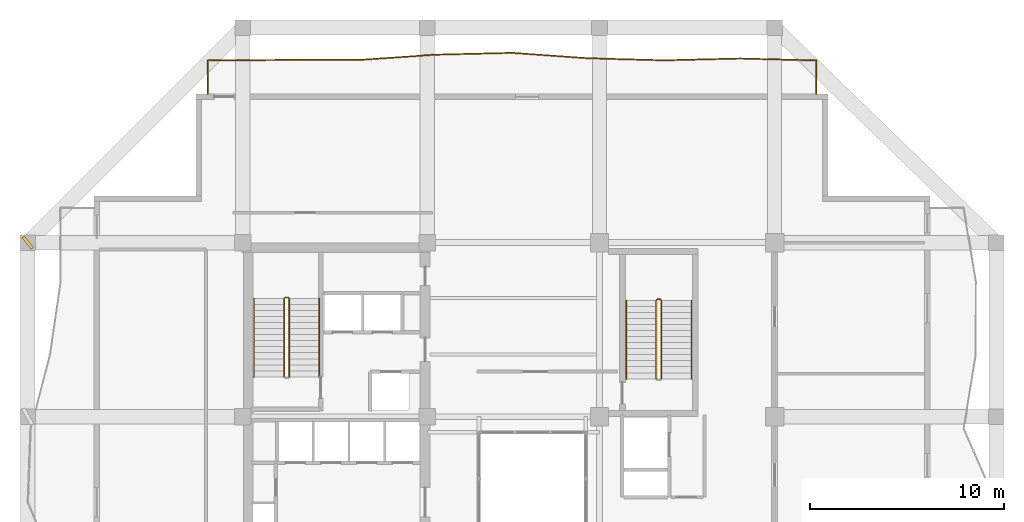
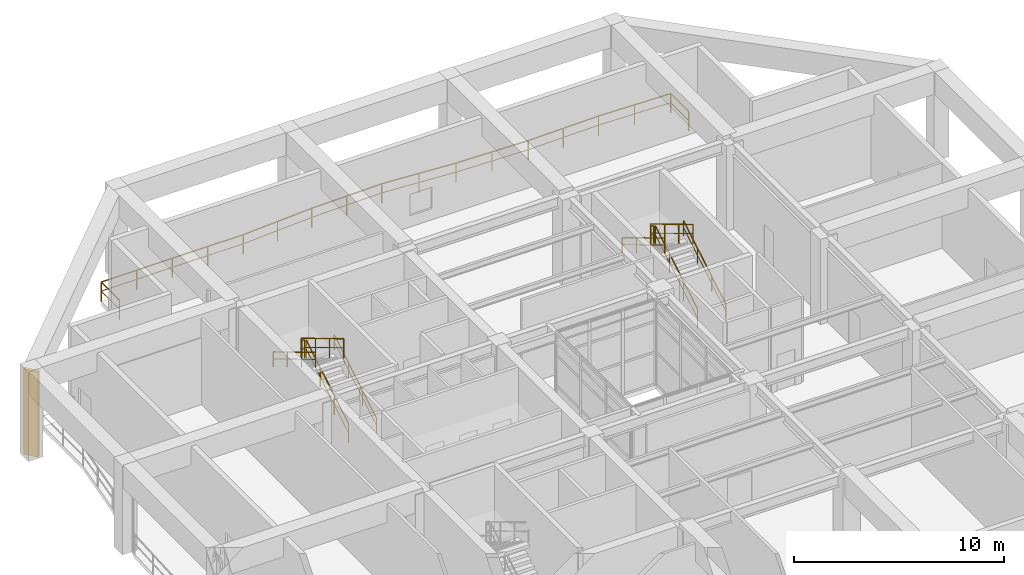
# One storey, part 12 of 13: 11 railings, 1 shading device.
"""IFC4 building model written with IfcOpenShell, lengths in metres."""

from ifc_helpers import new_model, si_unit, direction, frame, origin, origin_2d, place, context, subcontext, project, spatial, rectangle, extrude, material, type_object, element, save


model = new_model("IFC4")

# Units and contexts
model_context = context("Model", 3, precision=1e-05, world=origin(), true_north=direction((0.0, 1.0)))
body_context = subcontext(model_context, "Body", "Model", "MODEL_VIEW")
ifc_project = project(units=[si_unit("LENGTHUNIT", "METRE"), si_unit("AREAUNIT", "SQUARE_METRE"), si_unit("VOLUMEUNIT", "CUBIC_METRE"), si_unit("PLANEANGLEUNIT", "RADIAN"), si_unit("MASSUNIT", "GRAM", prefix="KILO")], contexts=[model_context])

# Site, building, storey
site_placement = place(None, origin())
site = spatial("IfcSite", under=ifc_project, at=site_placement, CompositionType="ELEMENT")
building_placement = place(site_placement, origin())
building = spatial("IfcBuilding", under=site, at=building_placement, Name="Kundavana Baori Tower", CompositionType="ELEMENT")
storey_placement = place(building_placement, frame((0.0, 0.0, 208.89990234375)))
storey = spatial("IfcBuildingStorey", under=building, at=storey_placement, Name="L51", CompositionType="ELEMENT", Elevation=208.89990234375)

# Railings
ifc_material_1 = material(Name="Architectural Patinated Bronze Metalwork")
railing_type_1 = type_object("IfcRailingType", Name="RL-BAL-1150", PredefinedType="BALUSTRADE", material=ifc_material_1)
railing_1_placement = place(storey_placement, frame((13.64990234375, 49.60009765625, 0.0)))
element("IfcRailing", 1, at=railing_1_placement, inside=storey, type_object=railing_type_1, Name="L51 Loggia Balcony Balustrade N", PredefinedType="BALUSTRADE", context=body_context, shape_type="SweptSolid", body=[
    extrude(rectangle(XDim=0.048095703125, YDim=0.048095703125, at=origin_2d()), frame((0.0, 0.0, 1.1259765625), z_axis=(0.0, 1.0, 0.0), x_axis=(-1.0, 0.0, 0.0)), (0.0, 0.0, 1.0), 1.719970703125),
    extrude(rectangle(XDim=0.03125, YDim=0.03125, at=origin_2d()), frame((0.0, 0.0, 0.597900390625), z_axis=(0.0, 1.0, 0.0), x_axis=(-1.0, 0.0, 0.0)), (0.0, 0.0, 1.0), 1.719970703125),
    extrude(rectangle(XDim=0.048095703125, YDim=0.048095703125, at=origin_2d()), frame((0.0, 1.719970703125, 1.1259765625), z_axis=(0.999974694126, 0.007114148473, 0.0), x_axis=(-0.007114148473, 0.999974694126, 0.0)), (0.0, 0.0, 1.0), 3.912109375),
    extrude(rectangle(XDim=0.03125, YDim=0.03125, at=origin_2d()), frame((0.0, 1.719970703125, 0.597900390625), z_axis=(0.999974694126, 0.007114148473, 0.0), x_axis=(-0.007114148473, 0.999974694126, 0.0)), (0.0, 0.0, 1.0), 3.912109375),
    extrude(rectangle(XDim=0.048095703125, YDim=0.048095703125, at=origin_2d()), frame((3.912109375, 1.747802734375, 1.1259765625), z_axis=(0.999999842349, 0.000561517256, 0.0), x_axis=(-0.000561517256, 0.999999842349, 0.0)), (0.0, 0.0, 1.0), 3.9130859375),
    extrude(rectangle(XDim=0.03125, YDim=0.03125, at=origin_2d()), frame((3.912109375, 1.747802734375, 0.597900390625), z_axis=(0.999999842349, 0.000561517256, 0.0), x_axis=(-0.000561517256, 0.999999842349, 0.0)), (0.0, 0.0, 1.0), 3.9130859375),
    extrude(rectangle(XDim=0.048095703125, YDim=0.048095703125, at=origin_2d()), frame((7.8251953125, 1.75, 1.1259765625), z_axis=(0.997648709251, 0.06853504891, 0.0), x_axis=(-0.06853504891, 0.997648709251, 0.0)), (0.0, 0.0, 1.0), 3.922119140625),
    extrude(rectangle(XDim=0.03125, YDim=0.03125, at=origin_2d()), frame((7.8251953125, 1.75, 0.597900390625), z_axis=(0.997648709251, 0.06853504891, 0.0), x_axis=(-0.06853504891, 0.997648709251, 0.0)), (0.0, 0.0, 1.0), 3.922119140625),
    extrude(rectangle(XDim=0.048095703125, YDim=0.048095703125, at=origin_2d()), frame((11.738037109375, 2.018798828125, 1.1259765625), z_axis=(0.999703950417, 0.024331286861, 0.0), x_axis=(-0.024331286861, 0.999703950417, 0.0)), (0.0, 0.0, 1.0), 3.913330078125),
    extrude(rectangle(XDim=0.03125, YDim=0.03125, at=origin_2d()), frame((11.738037109375, 2.018798828125, 0.597900390625), z_axis=(0.999703950417, 0.024331286861, 0.0), x_axis=(-0.024331286861, 0.999703950417, 0.0)), (0.0, 0.0, 1.0), 3.913330078125),
    extrude(rectangle(XDim=0.048095703125, YDim=0.048095703125, at=origin_2d()), frame((15.650146484375, 2.114013671875, 1.1259765625), z_axis=(0.997448896999, -0.071384157039, 0.0), x_axis=(0.071384157039, 0.997448896999, 0.0)), (0.0, 0.0, 1.0), 3.9228515625),
    extrude(rectangle(XDim=0.03125, YDim=0.03125, at=origin_2d()), frame((15.650146484375, 2.114013671875, 0.597900390625), z_axis=(0.997448896999, -0.071384157039, 0.0), x_axis=(0.071384157039, 0.997448896999, 0.0)), (0.0, 0.0, 1.0), 3.9228515625),
    extrude(rectangle(XDim=0.048095703125, YDim=0.048095703125, at=origin_2d()), frame((19.56298828125, 1.833984375, 1.1259765625), z_axis=(0.999640142493, -0.026825091193, 0.0), x_axis=(0.026825091193, 0.999640142493, 0.0)), (0.0, 0.0, 1.0), 3.91357421875),
    extrude(rectangle(XDim=0.03125, YDim=0.03125, at=origin_2d()), frame((19.56298828125, 1.833984375, 0.597900390625), z_axis=(0.999640142493, -0.026825091193, 0.0), x_axis=(0.026825091193, 0.999640142493, 0.0)), (0.0, 0.0, 1.0), 3.91357421875),
    extrude(rectangle(XDim=0.048095703125, YDim=0.048095703125, at=origin_2d()), frame((23.47509765625, 1.72900390625, 1.1259765625), z_axis=(0.999711633431, 0.024013537489, 0.0), x_axis=(-0.024013537489, 0.999711633431, 0.0)), (0.0, 0.0, 1.0), 3.914306640625),
    extrude(rectangle(XDim=0.03125, YDim=0.03125, at=origin_2d()), frame((23.47509765625, 1.72900390625, 0.597900390625), z_axis=(0.999711633431, 0.024013537489, 0.0), x_axis=(-0.024013537489, 0.999711633431, 0.0)), (0.0, 0.0, 1.0), 3.914306640625),
    extrude(rectangle(XDim=0.048095703125, YDim=0.048095703125, at=origin_2d()), frame((27.38818359375, 1.822998046875, 1.1259765625), z_axis=(0.999653357843, -0.026328010798, 0.0), x_axis=(0.026328010798, 0.999653357843, 0.0)), (0.0, 0.0, 1.0), 3.913330078125),
    extrude(rectangle(XDim=0.03125, YDim=0.03125, at=origin_2d()), frame((27.38818359375, 1.822998046875, 0.597900390625), z_axis=(0.999653357843, -0.026328010798, 0.0), x_axis=(0.026328010798, 0.999653357843, 0.0)), (0.0, 0.0, 1.0), 3.913330078125),
    extrude(rectangle(XDim=0.048095703125, YDim=0.048095703125, at=origin_2d()), frame((31.300048828125, 1.719970703125, 1.1259765625), z_axis=(0.0, -1.0, 0.0), x_axis=(1.0, 0.0, 0.0)), (0.0, 0.0, 1.0), 1.719970703125),
    extrude(rectangle(XDim=0.03125, YDim=0.03125, at=origin_2d()), frame((31.300048828125, 1.719970703125, 0.597900390625), z_axis=(0.0, -1.0, 0.0), x_axis=(1.0, 0.0, 0.0)), (0.0, 0.0, 1.0), 1.719970703125),
    extrude(rectangle(XDim=0.0419921875, YDim=0.0419921875, at=origin_2d()), origin(), (0.0, 0.0, 1.0), 1.101806640625),
    extrude(rectangle(XDim=0.0419921875, YDim=0.0419921875, at=origin_2d()), frame((0.0, 1.719970703125, 0.0)), (0.0, 0.0, 1.0), 1.101806640625),
    extrude(rectangle(XDim=0.0419921875, YDim=0.0419921875, at=origin_2d()), frame((1.9560546875, 1.73388671875, 0.0)), (0.0, 0.0, 1.0), 1.101806640625),
    extrude(rectangle(XDim=0.0419921875, YDim=0.0419921875, at=origin_2d()), frame((3.912109375, 1.747802734375, 0.0)), (0.0, 0.0, 1.0), 1.101806640625),
    extrude(rectangle(XDim=0.0419921875, YDim=0.0419921875, at=origin_2d()), frame((5.86865234375, 1.7490234375, 0.0)), (0.0, 0.0, 1.0), 1.101806640625),
    extrude(rectangle(XDim=0.0419921875, YDim=0.0419921875, at=origin_2d()), frame((7.8251953125, 1.75, 0.0)), (0.0, 0.0, 1.0), 1.101806640625),
    extrude(rectangle(XDim=0.0419921875, YDim=0.0419921875, at=origin_2d()), frame((9.78173828125, 1.88427734375, 0.0)), (0.0, 0.0, 1.0), 1.101806640625),
    extrude(rectangle(XDim=0.0419921875, YDim=0.0419921875, at=origin_2d()), frame((11.738037109375, 2.018798828125, 0.0)), (0.0, 0.0, 1.0), 1.101806640625),
    extrude(rectangle(XDim=0.0419921875, YDim=0.0419921875, at=origin_2d()), frame((13.694091796875, 2.06640625, 0.0)), (0.0, 0.0, 1.0), 1.101806640625),
    extrude(rectangle(XDim=0.0419921875, YDim=0.0419921875, at=origin_2d()), frame((15.650146484375, 2.114013671875, 0.0)), (0.0, 0.0, 1.0), 1.101806640625),
    extrude(rectangle(XDim=0.0419921875, YDim=0.0419921875, at=origin_2d()), frame((17.6064453125, 1.97412109375, 0.0)), (0.0, 0.0, 1.0), 1.101806640625),
    extrude(rectangle(XDim=0.0419921875, YDim=0.0419921875, at=origin_2d()), frame((19.56298828125, 1.833984375, 0.0)), (0.0, 0.0, 1.0), 1.101806640625),
    extrude(rectangle(XDim=0.0419921875, YDim=0.0419921875, at=origin_2d()), frame((21.51904296875, 1.781494140625, 0.0)), (0.0, 0.0, 1.0), 1.101806640625),
    extrude(rectangle(XDim=0.0419921875, YDim=0.0419921875, at=origin_2d()), frame((23.47509765625, 1.72900390625, 0.0)), (0.0, 0.0, 1.0), 1.101806640625),
    extrude(rectangle(XDim=0.0419921875, YDim=0.0419921875, at=origin_2d()), frame((25.431640625, 1.77587890625, 0.0)), (0.0, 0.0, 1.0), 1.101806640625),
    extrude(rectangle(XDim=0.0419921875, YDim=0.0419921875, at=origin_2d()), frame((27.38818359375, 1.822998046875, 0.0)), (0.0, 0.0, 1.0), 1.101806640625),
    extrude(rectangle(XDim=0.0419921875, YDim=0.0419921875, at=origin_2d()), frame((29.34423828125, 1.771484375, 0.0)), (0.0, 0.0, 1.0), 1.101806640625),
    extrude(rectangle(XDim=0.0419921875, YDim=0.0419921875, at=origin_2d()), frame((31.300048828125, 1.719970703125, 0.0)), (0.0, 0.0, 1.0), 1.101806640625),
    extrude(rectangle(XDim=0.0419921875, YDim=0.0419921875, at=origin_2d()), frame((31.300048828125, 0.0, 0.0)), (0.0, 0.0, 1.0), 1.101806640625),
])
ifc_material_2 = material(Name="Architectural Patinated Bronze Metalwork")
railing_type_2 = type_object("IfcRailingType", Name="RL-GRD-1150", PredefinedType="GUARDRAIL", material=ifc_material_2)
railing_2_placement = place(storey_placement, frame((17.840087890625, 35.050048828125, 0.185791015625)))
element("IfcRailing", 2, at=railing_2_placement, inside=storey, type_object=railing_type_2, Name="L51 ST2 stair guard 1", PredefinedType="GUARDRAIL", context=body_context, shape_type="SweptSolid", body=[
    extrude(rectangle(XDim=0.048095703125, YDim=0.048095703125, at=origin_2d()), frame((0.0, 0.0, 1.1259765625), z_axis=(0.0, 0.857841222509, 0.51391481489), x_axis=(-1.0, 0.0, 0.0)), (0.0, 0.0, 1.0), 4.69775390625),
    extrude(rectangle(XDim=0.03125, YDim=0.03125, at=origin_2d()), frame((0.0, 0.0, 0.597900390625), z_axis=(0.0, 0.857841222509, 0.51391481489), x_axis=(-1.0, 0.0, 0.0)), (0.0, 0.0, 1.0), 4.69775390625),
    extrude(rectangle(XDim=0.0419921875, YDim=0.0419921875, at=origin_2d()), origin(), (0.0, 0.0, 1.0), 1.101806640625),
    extrude(rectangle(XDim=0.0419921875, YDim=0.0419921875, at=origin_2d()), frame((0.0, 1.34326171875, 0.8046875)), (0.0, 0.0, 1.0), 1.101806640625),
    extrude(rectangle(XDim=0.0419921875, YDim=0.0419921875, at=origin_2d()), frame((0.0, 2.686767578125, 1.609619140625)), (0.0, 0.0, 1.0), 1.101806640625),
    extrude(rectangle(XDim=0.0419921875, YDim=0.0419921875, at=origin_2d()), frame((0.0, 4.030029296875, 2.414306640625)), (0.0, 0.0, 1.0), 1.101806640625),
])
railing_3_placement = place(storey_placement, frame((17.7900390625, 39.1298828125, 2.60009765625)))
element("IfcRailing", 3, at=railing_3_placement, inside=storey, type_object=railing_type_2, Name="L51 ST2 stair guard 2", PredefinedType="GUARDRAIL", context=body_context, shape_type="SweptSolid", body=[
    extrude(rectangle(XDim=0.048095703125, YDim=0.048095703125, at=origin_2d()), frame((0.0, 0.0, 1.1259765625), z_axis=(-1.0, 0.0, 0.0), x_axis=(0.0, -1.0, 0.0)), (0.0, 0.0, 1.0), 0.16015625),
    extrude(rectangle(XDim=0.03125, YDim=0.03125, at=origin_2d()), frame((0.0, 0.0, 0.597900390625), z_axis=(-1.0, 0.0, 0.0), x_axis=(0.0, -1.0, 0.0)), (0.0, 0.0, 1.0), 0.16015625),
    extrude(rectangle(XDim=0.0419921875, YDim=0.0419921875, at=origin_2d()), origin(), (0.0, 0.0, 1.0), 1.101806640625),
    extrude(rectangle(XDim=0.0419921875, YDim=0.0419921875, at=origin_2d()), frame((-0.16015625, 0.0, 0.0)), (0.0, 0.0, 1.0), 1.101806640625),
])
railing_4_placement = place(storey_placement, frame((17.580078125, 39.080078125, 2.785888671875)))
element("IfcRailing", 4, at=railing_4_placement, inside=storey, type_object=railing_type_2, Name="L51 ST2 stair guard 3", PredefinedType="GUARDRAIL", context=body_context, shape_type="SweptSolid", body=[
    extrude(rectangle(XDim=0.048095703125, YDim=0.048095703125, at=origin_2d()), frame((0.0, 0.0, 1.1259765625), z_axis=(0.0, -0.857841222509, 0.51391481489), x_axis=(1.0, 0.0, 0.0)), (0.0, 0.0, 1.0), 4.69775390625),
    extrude(rectangle(XDim=0.03125, YDim=0.03125, at=origin_2d()), frame((0.0, 0.0, 0.597900390625), z_axis=(0.0, -0.857841222509, 0.51391481489), x_axis=(1.0, 0.0, 0.0)), (0.0, 0.0, 1.0), 4.69775390625),
    extrude(rectangle(XDim=0.0419921875, YDim=0.0419921875, at=origin_2d()), origin(), (0.0, 0.0, 1.0), 1.101806640625),
    extrude(rectangle(XDim=0.0419921875, YDim=0.0419921875, at=origin_2d()), frame((0.0, -1.34326171875, 0.8046875)), (0.0, 0.0, 1.0), 1.101806640625),
    extrude(rectangle(XDim=0.0419921875, YDim=0.0419921875, at=origin_2d()), frame((0.0, -2.686767578125, 1.609619140625)), (0.0, 0.0, 1.0), 1.101806640625),
    extrude(rectangle(XDim=0.0419921875, YDim=0.0419921875, at=origin_2d()), frame((0.0, -4.030029296875, 2.414306640625)), (0.0, 0.0, 1.0), 1.101806640625),
])
railing_5_placement = place(storey_placement, frame((36.97998046875, 34.949951171875, 0.185791015625)))
element("IfcRailing", 5, at=railing_5_placement, inside=storey, type_object=railing_type_2, Name="L51 ST3 stair guard 1", PredefinedType="GUARDRAIL", context=body_context, shape_type="SweptSolid", body=[
    extrude(rectangle(XDim=0.048095703125, YDim=0.048095703125, at=origin_2d()), frame((0.0, 0.0, 1.1259765625), z_axis=(0.0, 0.857841222509, 0.51391481489), x_axis=(-1.0, 0.0, 0.0)), (0.0, 0.0, 1.0), 4.69775390625),
    extrude(rectangle(XDim=0.03125, YDim=0.03125, at=origin_2d()), frame((0.0, 0.0, 0.597900390625), z_axis=(0.0, 0.857841222509, 0.51391481489), x_axis=(-1.0, 0.0, 0.0)), (0.0, 0.0, 1.0), 4.69775390625),
    extrude(rectangle(XDim=0.0419921875, YDim=0.0419921875, at=origin_2d()), origin(), (0.0, 0.0, 1.0), 1.101806640625),
    extrude(rectangle(XDim=0.0419921875, YDim=0.0419921875, at=origin_2d()), frame((0.0, 1.34326171875, 0.8046875)), (0.0, 0.0, 1.0), 1.101806640625),
    extrude(rectangle(XDim=0.0419921875, YDim=0.0419921875, at=origin_2d()), frame((0.0, 2.686767578125, 1.609619140625)), (0.0, 0.0, 1.0), 1.101806640625),
    extrude(rectangle(XDim=0.0419921875, YDim=0.0419921875, at=origin_2d()), frame((0.0, 4.030029296875, 2.414306640625)), (0.0, 0.0, 1.0), 1.101806640625),
])
railing_6_placement = place(storey_placement, frame((36.929931640625, 39.030029296875, 2.60009765625)))
element("IfcRailing", 6, at=railing_6_placement, inside=storey, type_object=railing_type_2, Name="L51 ST3 stair guard 2", PredefinedType="GUARDRAIL", context=body_context, shape_type="SweptSolid", body=[
    extrude(rectangle(XDim=0.048095703125, YDim=0.048095703125, at=origin_2d()), frame((0.0, 0.0, 1.1259765625), z_axis=(-1.0, 0.0, 0.0), x_axis=(0.0, -1.0, 0.0)), (0.0, 0.0, 1.0), 0.159912109375),
    extrude(rectangle(XDim=0.03125, YDim=0.03125, at=origin_2d()), frame((0.0, 0.0, 0.597900390625), z_axis=(-1.0, 0.0, 0.0), x_axis=(0.0, -1.0, 0.0)), (0.0, 0.0, 1.0), 0.159912109375),
    extrude(rectangle(XDim=0.0419921875, YDim=0.0419921875, at=origin_2d()), origin(), (0.0, 0.0, 1.0), 1.101806640625),
    extrude(rectangle(XDim=0.0419921875, YDim=0.0419921875, at=origin_2d()), frame((-0.159912109375, 0.0, 0.0)), (0.0, 0.0, 1.0), 1.101806640625),
])
railing_7_placement = place(storey_placement, frame((36.719970703125, 38.97998046875, 2.785888671875)))
element("IfcRailing", 7, at=railing_7_placement, inside=storey, type_object=railing_type_2, Name="L51 ST3 stair guard 3", PredefinedType="GUARDRAIL", context=body_context, shape_type="SweptSolid", body=[
    extrude(rectangle(XDim=0.048095703125, YDim=0.048095703125, at=origin_2d()), frame((0.0, 0.0, 1.1259765625), z_axis=(0.0, -0.857841222509, 0.51391481489), x_axis=(1.0, 0.0, 0.0)), (0.0, 0.0, 1.0), 4.69775390625),
    extrude(rectangle(XDim=0.03125, YDim=0.03125, at=origin_2d()), frame((0.0, 0.0, 0.597900390625), z_axis=(0.0, -0.857841222509, 0.51391481489), x_axis=(1.0, 0.0, 0.0)), (0.0, 0.0, 1.0), 4.69775390625),
    extrude(rectangle(XDim=0.0419921875, YDim=0.0419921875, at=origin_2d()), origin(), (0.0, 0.0, 1.0), 1.101806640625),
    extrude(rectangle(XDim=0.0419921875, YDim=0.0419921875, at=origin_2d()), frame((0.0, -1.34326171875, 0.8046875)), (0.0, 0.0, 1.0), 1.101806640625),
    extrude(rectangle(XDim=0.0419921875, YDim=0.0419921875, at=origin_2d()), frame((0.0, -2.686767578125, 1.609619140625)), (0.0, 0.0, 1.0), 1.101806640625),
    extrude(rectangle(XDim=0.0419921875, YDim=0.0419921875, at=origin_2d()), frame((0.0, -4.030029296875, 2.414306640625)), (0.0, 0.0, 1.0), 1.101806640625),
])
ifc_material_3 = material(Name="Architectural Patinated Bronze Metalwork")
railing_type_3 = type_object("IfcRailingType", Name="RL-HND-920", PredefinedType="HANDRAIL", material=ifc_material_3)
railing_8_placement = place(storey_placement, frame((19.389892578125, 35.050048828125, 0.185791015625)))
element("IfcRailing", 8, at=railing_8_placement, inside=storey, type_object=railing_type_3, Name="L51 ST2 stair handrail 1", PredefinedType="HANDRAIL", context=body_context, shape_type="SweptSolid", body=[
    extrude(rectangle(XDim=0.048095703125, YDim=0.048095703125, at=origin_2d()), frame((0.0, 0.0, 0.8759765625), z_axis=(0.0, 0.857841222509, 0.51391481489), x_axis=(-1.0, 0.0, 0.0)), (0.0, 0.0, 1.0), 4.69775390625),
    extrude(rectangle(XDim=0.03125, YDim=0.03125, at=origin_2d()), frame((0.0, 0.0, 0.468017578125), z_axis=(0.0, 0.857841222509, 0.51391481489), x_axis=(-1.0, 0.0, 0.0)), (0.0, 0.0, 1.0), 4.69775390625),
    extrude(rectangle(XDim=0.0419921875, YDim=0.0419921875, at=origin_2d()), origin(), (0.0, 0.0, 1.0), 0.851806640625),
    extrude(rectangle(XDim=0.0419921875, YDim=0.0419921875, at=origin_2d()), frame((0.0, 1.34326171875, 0.8046875)), (0.0, 0.0, 1.0), 0.851806640625),
    extrude(rectangle(XDim=0.0419921875, YDim=0.0419921875, at=origin_2d()), frame((0.0, 2.686767578125, 1.609619140625)), (0.0, 0.0, 1.0), 0.851806640625),
    extrude(rectangle(XDim=0.0419921875, YDim=0.0419921875, at=origin_2d()), frame((0.0, 4.030029296875, 2.414306640625)), (0.0, 0.0, 1.0), 0.851806640625),
])
railing_9_placement = place(storey_placement, frame((16.030029296875, 39.080078125, 2.785888671875)))
element("IfcRailing", 9, at=railing_9_placement, inside=storey, type_object=railing_type_3, Name="L51 ST2 stair handrail 2", PredefinedType="HANDRAIL", context=body_context, shape_type="SweptSolid", body=[
    extrude(rectangle(XDim=0.048095703125, YDim=0.048095703125, at=origin_2d()), frame((0.0, 0.0, 0.8759765625), z_axis=(0.0, -0.857841222509, 0.51391481489), x_axis=(1.0, 0.0, 0.0)), (0.0, 0.0, 1.0), 4.69775390625),
    extrude(rectangle(XDim=0.03125, YDim=0.03125, at=origin_2d()), frame((0.0, 0.0, 0.468017578125), z_axis=(0.0, -0.857841222509, 0.51391481489), x_axis=(1.0, 0.0, 0.0)), (0.0, 0.0, 1.0), 4.69775390625),
    extrude(rectangle(XDim=0.0419921875, YDim=0.0419921875, at=origin_2d()), origin(), (0.0, 0.0, 1.0), 0.851806640625),
    extrude(rectangle(XDim=0.0419921875, YDim=0.0419921875, at=origin_2d()), frame((0.0, -1.34326171875, 0.8046875)), (0.0, 0.0, 1.0), 0.851806640625),
    extrude(rectangle(XDim=0.0419921875, YDim=0.0419921875, at=origin_2d()), frame((0.0, -2.686767578125, 1.609619140625)), (0.0, 0.0, 1.0), 0.851806640625),
    extrude(rectangle(XDim=0.0419921875, YDim=0.0419921875, at=origin_2d()), frame((0.0, -4.030029296875, 2.414306640625)), (0.0, 0.0, 1.0), 0.851806640625),
])
railing_10_placement = place(storey_placement, frame((38.530029296875, 34.949951171875, 0.185791015625)))
element("IfcRailing", 10, at=railing_10_placement, inside=storey, type_object=railing_type_3, Name="L51 ST3 stair handrail 1", PredefinedType="HANDRAIL", context=body_context, shape_type="SweptSolid", body=[
    extrude(rectangle(XDim=0.048095703125, YDim=0.048095703125, at=origin_2d()), frame((0.0, 0.0, 0.8759765625), z_axis=(0.0, 0.857841222509, 0.51391481489), x_axis=(-1.0, 0.0, 0.0)), (0.0, 0.0, 1.0), 4.69775390625),
    extrude(rectangle(XDim=0.03125, YDim=0.03125, at=origin_2d()), frame((0.0, 0.0, 0.468017578125), z_axis=(0.0, 0.857841222509, 0.51391481489), x_axis=(-1.0, 0.0, 0.0)), (0.0, 0.0, 1.0), 4.69775390625),
    extrude(rectangle(XDim=0.0419921875, YDim=0.0419921875, at=origin_2d()), origin(), (0.0, 0.0, 1.0), 0.851806640625),
    extrude(rectangle(XDim=0.0419921875, YDim=0.0419921875, at=origin_2d()), frame((0.0, 1.34326171875, 0.8046875)), (0.0, 0.0, 1.0), 0.851806640625),
    extrude(rectangle(XDim=0.0419921875, YDim=0.0419921875, at=origin_2d()), frame((0.0, 2.686767578125, 1.609619140625)), (0.0, 0.0, 1.0), 0.851806640625),
    extrude(rectangle(XDim=0.0419921875, YDim=0.0419921875, at=origin_2d()), frame((0.0, 4.030029296875, 2.414306640625)), (0.0, 0.0, 1.0), 0.851806640625),
])
railing_11_placement = place(storey_placement, frame((35.169921875, 38.97998046875, 2.785888671875)))
element("IfcRailing", 11, at=railing_11_placement, inside=storey, type_object=railing_type_3, Name="L51 ST3 stair handrail 2", PredefinedType="HANDRAIL", context=body_context, shape_type="SweptSolid", body=[
    extrude(rectangle(XDim=0.048095703125, YDim=0.048095703125, at=origin_2d()), frame((0.0, 0.0, 0.8759765625), z_axis=(0.0, -0.857841222509, 0.51391481489), x_axis=(1.0, 0.0, 0.0)), (0.0, 0.0, 1.0), 4.69775390625),
    extrude(rectangle(XDim=0.03125, YDim=0.03125, at=origin_2d()), frame((0.0, 0.0, 0.468017578125), z_axis=(0.0, -0.857841222509, 0.51391481489), x_axis=(1.0, 0.0, 0.0)), (0.0, 0.0, 1.0), 4.69775390625),
    extrude(rectangle(XDim=0.0419921875, YDim=0.0419921875, at=origin_2d()), origin(), (0.0, 0.0, 1.0), 0.851806640625),
    extrude(rectangle(XDim=0.0419921875, YDim=0.0419921875, at=origin_2d()), frame((0.0, -1.34326171875, 0.8046875)), (0.0, 0.0, 1.0), 0.851806640625),
    extrude(rectangle(XDim=0.0419921875, YDim=0.0419921875, at=origin_2d()), frame((0.0, -2.686767578125, 1.609619140625)), (0.0, 0.0, 1.0), 0.851806640625),
    extrude(rectangle(XDim=0.0419921875, YDim=0.0419921875, at=origin_2d()), frame((0.0, -4.030029296875, 2.414306640625)), (0.0, 0.0, 1.0), 0.851806640625),
])

# Shading device
ifc_material_4 = material(Name="Red-Buff Dholpur Sandstone Cladding on Concrete C40/50", Category="masonry")
shading_device_type = type_object("IfcShadingDeviceType", Name="SHD-FIN-750", PredefinedType="JALOUSIE", material=ifc_material_4)
shading_device_placement = place(storey_placement, frame((4.39990234375, 41.949951171875, 0.0), z_axis=(0.0, 0.0, 1.0), x_axis=(0.781847027868, 0.623470308046, 0.0)))
element("IfcShadingDevice", 12, at=shading_device_placement, inside=storey, type_object=shading_device_type, Name="L51 Sweeping Dholpur Sandstone Facade Fin 8", PredefinedType="JALOUSIE", context=body_context, shape_type="SweptSolid", body=[
    extrude(rectangle(XDim=0.159912109375, YDim=0.75, at=origin_2d()), origin(), (0.0, 0.0, 1.0), 4.9599609375),
])

save(model, "model.ifc")
